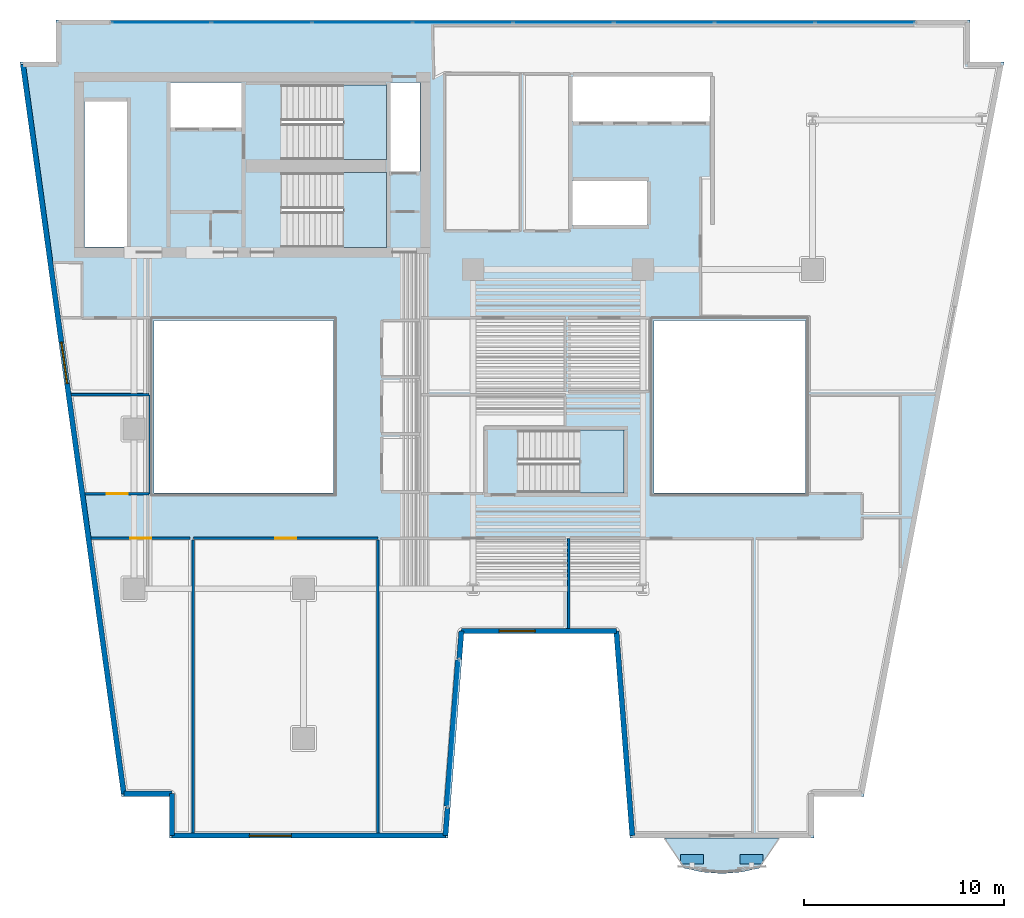
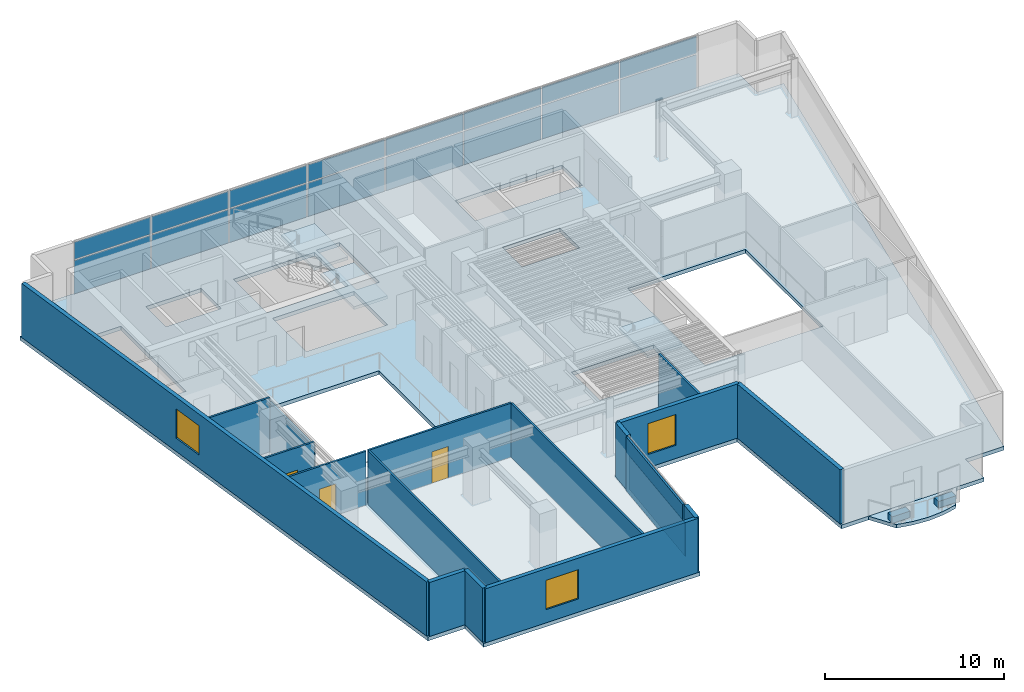
# One storey, part 5 of 13: 20 plates, 17 walls, 5 slabs, 3 doors, 3 windows, 6 openings, 5 elements without a shape of their own.
"""IFC4 building model written with IfcOpenShell, lengths in metres."""

from ifc_helpers import new_model, si_unit, direction, frame, frame_2d, origin, origin_2d, place, context, subcontext, project, spatial, polyline, rectangle, outline, extrude, material, layer, layer_set, type_object, element, fill, aggregate, save


model = new_model("IFC4")

# Units and contexts
model_context = context("Model", 3, precision=1e-05, world=origin(), true_north=direction((0.0, 1.0)))
body_context = subcontext(model_context, "Body", "Model", "MODEL_VIEW")
ifc_project = project(units=[si_unit("LENGTHUNIT", "METRE"), si_unit("AREAUNIT", "SQUARE_METRE"), si_unit("VOLUMEUNIT", "CUBIC_METRE"), si_unit("PLANEANGLEUNIT", "RADIAN"), si_unit("MASSUNIT", "GRAM", prefix="KILO")], contexts=[model_context])

# Site, building, storey
site_placement = place(None, origin())
site = spatial("IfcSite", under=ifc_project, at=site_placement, CompositionType="ELEMENT")
building_placement = place(site_placement, origin())
building = spatial("IfcBuilding", under=site, at=building_placement, Name="Caeloran Harvest Quay", CompositionType="ELEMENT")
storey_placement = place(building_placement, frame((0.0, 0.0, 158.800048828125)))
storey = spatial("IfcBuildingStorey", under=building, at=storey_placement, Name="L37", CompositionType="ELEMENT", Elevation=158.800048828125)

# Slab
ifc_material_1 = material(Name="Concrete C50/60", Category="concrete")
ifc_layer_1 = layer(ifc_material_1, 0.239990234375, Name="Concrete C50/60")
ifc_layer_set_1 = layer_set([ifc_layer_1], Name="Concrete C50/60")
slab_type_1 = type_object("IfcSlabType", Name="BALCONY-BL-240", PredefinedType="FLOOR", material=ifc_layer_set_1)
slab_1_placement = place(storey_placement, frame((0.0, 0.0, -0.239990234375)))
element("IfcSlab", 1, at=slab_1_placement, inside=storey, type_object=slab_type_1, Name="L37 Scalloped Cantilevered Planted Balcony Slab", PredefinedType="FLOOR", context=body_context, shape_type="SweptSolid", body=[
    extrude(outline(polyline([(39.869873046875, 1.002685546875), (38.913818359375, 0.7998046875), (37.95751953125, 0.7255859375), (37.001220703125, 0.7998046875), (36.045166015625, 1.002685546875), (35.1015625, 2.5), (40.8134765625, 2.5), (39.869873046875, 1.002685546875)])), origin(), (0.0, 0.0, 1.0), 0.239990234375),
])

# Curtain wall, plates
ifc_material_2 = material(Name="Aluminium 6063-T6 and Low-E Glazing", Category="aluminium")
ifc_layer_2 = layer(ifc_material_2, 0.22998046875, Name="Aluminium 6063-T6 and Low-E Glazing")
ifc_layer_set_2 = layer_set([ifc_layer_2], Name="Aluminium 6063-T6 and Low-E Glazing")
curtain_wall_type = type_object("IfcCurtainWallType", Name="CW-SYS-CW-6", PredefinedType="USERDEFINED", material=ifc_layer_set_2)
curtain_wall_1_placement = place(storey_placement, origin())
curtain_wall_1 = element("IfcCurtainWall", 2, at=curtain_wall_1_placement, inside=storey, type_object=curtain_wall_type, Name="L37 Unitised Curtain Wall CW-6 Run 6", ObjectType="CURTAIN_WALL", PredefinedType="USERDEFINED")
ifc_material_3 = material(Name="Low-E Double Glazed Vision Glass Unit", Category="glass")
ifc_layer_3 = layer(ifc_material_3, 0.035888671875, Name="Low-E Double Glazed Vision Glass Unit")
ifc_layer_set_3 = layer_set([ifc_layer_3], Name="Low-E Double Glazed Vision Glass Unit")
plate_type_1 = type_object("IfcPlateType", Name="CW-VISION-PANEL", PredefinedType="CURTAIN_PANEL", material=ifc_layer_set_3)
plate_1_placement = place(storey_placement, frame((9.871337890625, 43.3701171875, 0.080078125), z_axis=(0.0, 0.0, 1.0), x_axis=(1.0, 0.0, 0.0)))
plate_1 = element("IfcPlate", 3, at=plate_1_placement, type_object=plate_type_1, Name="CW-6 panel 1.1", PredefinedType="CURTAIN_PANEL", context=body_context, shape_type="SweptSolid", body=[
    extrude(rectangle(XDim=4.922607421875, YDim=0.035888671875, at=origin_2d()), origin(), (0.0, 0.0, 1.0), 2.280029296875),
])
plate_2_placement = place(storey_placement, frame((9.871337890625, 43.3701171875, 2.43994140625), z_axis=(0.0, 0.0, 1.0), x_axis=(1.0, 0.0, 0.0)))
plate_2 = element("IfcPlate", 4, at=plate_2_placement, type_object=plate_type_1, Name="CW-6 panel 1.2", PredefinedType="CURTAIN_PANEL", context=body_context, shape_type="SweptSolid", body=[
    extrude(rectangle(XDim=4.922607421875, YDim=0.035888671875, at=origin_2d()), origin(), (0.0, 0.0, 1.0), 1.169921875),
])
plate_3_placement = place(storey_placement, frame((14.893798828125, 43.3701171875, 0.080078125), z_axis=(0.0, 0.0, 1.0), x_axis=(1.0, 0.0, 0.0)))
plate_3 = element("IfcPlate", 5, at=plate_3_placement, type_object=plate_type_1, Name="CW-6 panel 2.1", PredefinedType="CURTAIN_PANEL", context=body_context, shape_type="SweptSolid", body=[
    extrude(rectangle(XDim=4.96240234375, YDim=0.035888671875, at=origin_2d()), origin(), (0.0, 0.0, 1.0), 2.280029296875),
])
plate_4_placement = place(storey_placement, frame((14.893798828125, 43.3701171875, 2.43994140625), z_axis=(0.0, 0.0, 1.0), x_axis=(1.0, 0.0, 0.0)))
plate_4 = element("IfcPlate", 6, at=plate_4_placement, type_object=plate_type_1, Name="CW-6 panel 2.2", PredefinedType="CURTAIN_PANEL", context=body_context, shape_type="SweptSolid", body=[
    extrude(rectangle(XDim=4.96240234375, YDim=0.035888671875, at=origin_2d()), origin(), (0.0, 0.0, 1.0), 1.169921875),
])
plate_5_placement = place(storey_placement, frame((19.936279296875, 43.3701171875, 0.080078125), z_axis=(0.0, 0.0, 1.0), x_axis=(1.0, 0.0, 0.0)))
plate_5 = element("IfcPlate", 7, at=plate_5_placement, type_object=plate_type_1, Name="CW-6 panel 3.1", PredefinedType="CURTAIN_PANEL", context=body_context, shape_type="SweptSolid", body=[
    extrude(rectangle(XDim=4.96240234375, YDim=0.035888671875, at=origin_2d()), origin(), (0.0, 0.0, 1.0), 2.280029296875),
])
plate_6_placement = place(storey_placement, frame((19.936279296875, 43.3701171875, 2.43994140625), z_axis=(0.0, 0.0, 1.0), x_axis=(1.0, 0.0, 0.0)))
plate_6 = element("IfcPlate", 8, at=plate_6_placement, type_object=plate_type_1, Name="CW-6 panel 3.2", PredefinedType="CURTAIN_PANEL", context=body_context, shape_type="SweptSolid", body=[
    extrude(rectangle(XDim=4.96240234375, YDim=0.035888671875, at=origin_2d()), origin(), (0.0, 0.0, 1.0), 1.169921875),
])
plate_7_placement = place(storey_placement, frame((24.978759765625, 43.3701171875, 0.080078125), z_axis=(0.0, 0.0, 1.0), x_axis=(1.0, 0.0, 0.0)))
plate_7 = element("IfcPlate", 9, at=plate_7_placement, type_object=plate_type_1, Name="CW-6 panel 4.1", PredefinedType="CURTAIN_PANEL", context=body_context, shape_type="SweptSolid", body=[
    extrude(rectangle(XDim=4.96240234375, YDim=0.035888671875, at=origin_2d()), origin(), (0.0, 0.0, 1.0), 2.280029296875),
])
plate_8_placement = place(storey_placement, frame((24.978759765625, 43.3701171875, 2.43994140625), z_axis=(0.0, 0.0, 1.0), x_axis=(1.0, 0.0, 0.0)))
plate_8 = element("IfcPlate", 10, at=plate_8_placement, type_object=plate_type_1, Name="CW-6 panel 4.2", PredefinedType="CURTAIN_PANEL", context=body_context, shape_type="SweptSolid", body=[
    extrude(rectangle(XDim=4.96240234375, YDim=0.035888671875, at=origin_2d()), origin(), (0.0, 0.0, 1.0), 1.169921875),
])
plate_9_placement = place(storey_placement, frame((30.021240234375, 43.3701171875, 0.080078125), z_axis=(0.0, 0.0, 1.0), x_axis=(1.0, 0.0, 0.0)))
plate_9 = element("IfcPlate", 11, at=plate_9_placement, type_object=plate_type_1, Name="CW-6 panel 5.1", PredefinedType="CURTAIN_PANEL", context=body_context, shape_type="SweptSolid", body=[
    extrude(rectangle(XDim=4.96240234375, YDim=0.035888671875, at=origin_2d()), origin(), (0.0, 0.0, 1.0), 2.280029296875),
])
plate_10_placement = place(storey_placement, frame((30.021240234375, 43.3701171875, 2.43994140625), z_axis=(0.0, 0.0, 1.0), x_axis=(1.0, 0.0, 0.0)))
plate_10 = element("IfcPlate", 12, at=plate_10_placement, type_object=plate_type_1, Name="CW-6 panel 5.2", PredefinedType="CURTAIN_PANEL", context=body_context, shape_type="SweptSolid", body=[
    extrude(rectangle(XDim=4.96240234375, YDim=0.035888671875, at=origin_2d()), origin(), (0.0, 0.0, 1.0), 1.169921875),
])
plate_11_placement = place(storey_placement, frame((35.063720703125, 43.3701171875, 0.080078125), z_axis=(0.0, 0.0, 1.0), x_axis=(1.0, 0.0, 0.0)))
plate_11 = element("IfcPlate", 13, at=plate_11_placement, type_object=plate_type_1, Name="CW-6 panel 6.1", PredefinedType="CURTAIN_PANEL", context=body_context, shape_type="SweptSolid", body=[
    extrude(rectangle(XDim=4.96240234375, YDim=0.035888671875, at=origin_2d()), origin(), (0.0, 0.0, 1.0), 2.280029296875),
])
plate_12_placement = place(storey_placement, frame((35.063720703125, 43.3701171875, 2.43994140625), z_axis=(0.0, 0.0, 1.0), x_axis=(1.0, 0.0, 0.0)))
plate_12 = element("IfcPlate", 14, at=plate_12_placement, type_object=plate_type_1, Name="CW-6 panel 6.2", PredefinedType="CURTAIN_PANEL", context=body_context, shape_type="SweptSolid", body=[
    extrude(rectangle(XDim=4.96240234375, YDim=0.035888671875, at=origin_2d()), origin(), (0.0, 0.0, 1.0), 1.169921875),
])
plate_13_placement = place(storey_placement, frame((40.106201171875, 43.3701171875, 0.080078125), z_axis=(0.0, 0.0, 1.0), x_axis=(1.0, 0.0, 0.0)))
plate_13 = element("IfcPlate", 15, at=plate_13_placement, type_object=plate_type_1, Name="CW-6 panel 7.1", PredefinedType="CURTAIN_PANEL", context=body_context, shape_type="SweptSolid", body=[
    extrude(rectangle(XDim=4.96240234375, YDim=0.035888671875, at=origin_2d()), origin(), (0.0, 0.0, 1.0), 2.280029296875),
])
plate_14_placement = place(storey_placement, frame((40.106201171875, 43.3701171875, 2.43994140625), z_axis=(0.0, 0.0, 1.0), x_axis=(1.0, 0.0, 0.0)))
plate_14 = element("IfcPlate", 16, at=plate_14_placement, type_object=plate_type_1, Name="CW-6 panel 7.2", PredefinedType="CURTAIN_PANEL", context=body_context, shape_type="SweptSolid", body=[
    extrude(rectangle(XDim=4.96240234375, YDim=0.035888671875, at=origin_2d()), origin(), (0.0, 0.0, 1.0), 1.169921875),
])
plate_15_placement = place(storey_placement, frame((45.128662109375, 43.3701171875, 0.080078125), z_axis=(0.0, 0.0, 1.0), x_axis=(1.0, 0.0, 0.0)))
plate_15 = element("IfcPlate", 17, at=plate_15_placement, type_object=plate_type_1, Name="CW-6 panel 8.1", PredefinedType="CURTAIN_PANEL", context=body_context, shape_type="SweptSolid", body=[
    extrude(rectangle(XDim=4.922607421875, YDim=0.035888671875, at=origin_2d()), origin(), (0.0, 0.0, 1.0), 2.280029296875),
])
plate_16_placement = place(storey_placement, frame((45.128662109375, 43.3701171875, 2.43994140625), z_axis=(0.0, 0.0, 1.0), x_axis=(1.0, 0.0, 0.0)))
plate_16 = element("IfcPlate", 18, at=plate_16_placement, type_object=plate_type_1, Name="CW-6 panel 8.2", PredefinedType="CURTAIN_PANEL", context=body_context, shape_type="SweptSolid", body=[
    extrude(rectangle(XDim=4.922607421875, YDim=0.035888671875, at=origin_2d()), origin(), (0.0, 0.0, 1.0), 1.169921875),
])
aggregate(curtain_wall_1, [plate_1, plate_2, plate_3, plate_4, plate_5, plate_6, plate_7, plate_8, plate_9, plate_10, plate_11, plate_12, plate_13, plate_14, plate_15, plate_16])

curtain_wall_2_placement = place(storey_placement, origin())
curtain_wall_2 = element("IfcCurtainWall", 19, at=curtain_wall_2_placement, inside=storey, type_object=curtain_wall_type, Name="L37 Unitised Curtain Wall CW-6 Run 15", ObjectType="CURTAIN_WALL", PredefinedType="USERDEFINED")
plate_17_placement = place(storey_placement, frame((24.509765625, 7.7548828125, 0.080078125), z_axis=(0.0, 0.0, 1.0), x_axis=(-0.077821861046, -0.996967280277, 0.0)))
plate_17 = element("IfcPlate", 20, at=plate_17_placement, type_object=plate_type_1, Name="CW-6 panel 1.1", PredefinedType="CURTAIN_PANEL", context=body_context, shape_type="SweptSolid", body=[
    extrude(rectangle(XDim=7.3212890625, YDim=0.035888671875, at=origin_2d()), origin(), (0.0, 0.0, 1.0), 2.280029296875),
])
plate_18_placement = place(storey_placement, frame((24.509765625, 7.7548828125, 2.43994140625), z_axis=(0.0, 0.0, 1.0), x_axis=(-0.077821861046, -0.996967280277, 0.0)))
plate_18 = element("IfcPlate", 21, at=plate_18_placement, type_object=plate_type_1, Name="CW-6 panel 1.2", PredefinedType="CURTAIN_PANEL", context=body_context, shape_type="SweptSolid", body=[
    extrude(rectangle(XDim=7.3212890625, YDim=0.035888671875, at=origin_2d()), origin(), (0.0, 0.0, 1.0), 1.169921875),
])
aggregate(curtain_wall_2, [plate_17, plate_18])

# Plates
ifc_material_4 = material(Name="Precast concrete C50/60", Category="concrete")
ifc_layer_4 = layer(ifc_material_4, 0.449951171875, Name="Precast concrete C50/60")
ifc_layer_set_4 = layer_set([ifc_layer_4], Name="Precast concrete C50/60")
plate_type_2 = type_object("IfcPlateType", Name="PLANTER-TROUGH-450", PredefinedType="USERDEFINED", material=ifc_layer_set_4)
for number, where, z_axis, x_axis, name in (
    (22, (39.44921875, 1.44921875, 0.0), (0.0, 0.0, 1.0), (1.0, 0.0, 0.0), "L37 Balcony Vertical-Greenery Precast PLANTER Trough 1"),
    (23, (36.4658203125, 1.44921875, 0.0), (0.0, 0.0, 1.0), (1.0, 0.0, 0.0), "L37 Balcony Vertical-Greenery Precast PLANTER Trough 2"),
):
    element("IfcPlate", number, at=place(storey_placement, frame(where, z_axis=z_axis, x_axis=x_axis)), inside=storey, type_object=plate_type_2, Name=name, ObjectType="PLANTER", PredefinedType="USERDEFINED", context=body_context, shape_type="SweptSolid", body=[
        extrude(rectangle(XDim=1.14990234375, YDim=0.47998046875, at=origin_2d()), origin(), (0.0, 0.0, 1.0), 0.449951171875),
    ])

# Slab
ifc_layer_5 = layer(ifc_material_1, 0.260009765625, Name="Concrete C50/60")
ifc_layer_set_5 = layer_set([ifc_layer_5], Name="Concrete C50/60")
slab_type_2 = type_object("IfcSlabType", Name="SLAB-FS-260", PredefinedType="FLOOR", material=ifc_layer_set_5)
slab_2_placement = place(storey_placement, frame((0.0, 0.0, -0.260009765625)))
element("IfcSlab", 24, at=slab_2_placement, inside=storey, type_object=slab_type_2, Name="L37 Structural Floor Slab", PredefinedType="FLOOR", context=body_context, shape_type="SweptSolid", body=[
    extrude(outline(polyline([(10.27001953125, 2.5), (24.22998046875, 2.5), (25.030029296875, 12.75), (32.554931640625, 12.75), (33.35498046875, 2.5), (42.570068359375, 2.5), (42.570068359375, 4.60009765625), (45.071044921875, 4.60009765625), (52.09912109375, 41.39990234375), (50.39990234375, 41.39990234375), (50.39990234375, 43.5), (4.60009765625, 43.5), (4.60009765625, 41.39990234375), (2.790283203125, 41.39990234375), (7.879638671875, 4.60009765625), (10.27001953125, 4.60009765625), (10.27001953125, 2.5)]), holes=[polyline([(27.75, 19.800048828125), (27.75, 22.949951171875), (33.050048828125, 22.949951171875), (33.050048828125, 19.800048828125), (27.75, 19.800048828125)]), polyline([(18.5, 19.800048828125), (9.5, 19.800048828125), (9.5, 28.449951171875), (18.5, 28.449951171875), (18.5, 19.800048828125)]), polyline([(42.14990234375, 19.800048828125), (34.550048828125, 19.800048828125), (34.550048828125, 28.449951171875), (42.14990234375, 28.449951171875), (42.14990234375, 19.800048828125)]), polyline([(15.89990234375, 35.85009765625), (21.14990234375, 35.85009765625), (21.14990234375, 32.10009765625), (15.89990234375, 32.10009765625), (15.89990234375, 35.85009765625)]), polyline([(30.47998046875, 33.219970703125), (30.47998046875, 35.429931640625), (34.199951171875, 35.429931640625), (34.199951171875, 33.219970703125), (30.47998046875, 33.219970703125)]), polyline([(8.159912109375, 32.1201171875), (6.02001953125, 32.1201171875), (6.02001953125, 39.419921875), (8.159912109375, 39.419921875), (8.159912109375, 32.1201171875)]), polyline([(22.830078125, 35.919921875), (21.35009765625, 35.919921875), (21.35009765625, 40.3798828125), (22.830078125, 40.3798828125), (22.830078125, 35.919921875)]), polyline([(15.89990234375, 36.5), (15.89990234375, 40.25), (21.14990234375, 40.25), (21.14990234375, 36.5), (15.89990234375, 36.5)]), polyline([(10.320068359375, 38.1201171875), (10.320068359375, 40.3798828125), (13.89990234375, 40.3798828125), (13.89990234375, 38.1201171875), (10.320068359375, 38.1201171875)]), polyline([(30.47998046875, 38.419921875), (30.47998046875, 40.679931640625), (37.3798828125, 40.679931640625), (37.3798828125, 38.419921875), (30.47998046875, 38.419921875)])]), origin(), (0.0, 0.0, 1.0), 0.260009765625),
])

# Stair, slab
stair_type_1 = type_object("IfcStairType", Name="STAIR-STC-180", PredefinedType="HALF_TURN_STAIR", material=ifc_material_1)
stair_1_placement = place(storey_placement, origin())
stair_1 = element("IfcStair", 25, at=stair_1_placement, inside=storey, type_object=stair_type_1, Name="L37 Core Pressurized Exit Stair ST-C1", PredefinedType="HALF_TURN_STAIR")
ifc_layer_6 = layer(ifc_material_1, 0.219970703125, Name="Concrete C50/60")
ifc_layer_set_6 = layer_set([ifc_layer_6], Name="Concrete C50/60")
slab_type_3 = type_object("IfcSlabType", Name="STAIR-LANDING-220", PredefinedType="LANDING", material=ifc_layer_set_6)
slab_3_placement = place(storey_placement, frame((0.0, 0.0, 1.77490234375)))
slab_3 = element("IfcSlab", 26, at=slab_3_placement, type_object=slab_type_3, Name="ST-C1 landing 1", PredefinedType="LANDING", context=body_context, shape_type="SweptSolid", body=[
    extrude(outline(polyline([(18.97998046875, 36.5), (21.14990234375, 36.5), (21.14990234375, 40.25), (18.97998046875, 40.25), (18.97998046875, 36.5)])), origin(), (0.0, 0.0, 1.0), 0.199951171875),
])
aggregate(stair_1, [slab_3])

stair_2_placement = place(storey_placement, origin())
stair_2 = element("IfcStair", 27, at=stair_2_placement, inside=storey, type_object=stair_type_1, Name="L37 Core Pressurized Exit Stair ST-C2", PredefinedType="HALF_TURN_STAIR")
slab_4_placement = place(storey_placement, frame((0.0, 0.0, 1.77490234375)))
slab_4 = element("IfcSlab", 28, at=slab_4_placement, type_object=slab_type_3, Name="ST-C2 landing 1", PredefinedType="LANDING", context=body_context, shape_type="SweptSolid", body=[
    extrude(outline(polyline([(18.97998046875, 32.10009765625), (21.14990234375, 32.10009765625), (21.14990234375, 35.85009765625), (18.97998046875, 35.85009765625), (18.97998046875, 32.10009765625)])), origin(), (0.0, 0.0, 1.0), 0.199951171875),
])
aggregate(stair_2, [slab_4])

stair_type_2 = type_object("IfcStairType", Name="STAIR-STW-150", PredefinedType="HALF_TURN_STAIR", material=ifc_material_1)
stair_3_placement = place(storey_placement, origin())
stair_3 = element("IfcStair", 29, at=stair_3_placement, inside=storey, type_object=stair_type_2, Name="L37 East Wing Protected Exit Stair ST-W1", PredefinedType="HALF_TURN_STAIR")
slab_5_placement = place(storey_placement, frame((0.0, 0.0, 1.77490234375)))
slab_5 = element("IfcSlab", 30, at=slab_5_placement, type_object=slab_type_3, Name="ST-W1 landing 1", PredefinedType="LANDING", context=body_context, shape_type="SweptSolid", body=[
    extrude(outline(polyline([(30.830078125, 19.800048828125), (33.050048828125, 19.800048828125), (33.050048828125, 22.949951171875), (30.830078125, 22.949951171875), (30.830078125, 19.800048828125)])), origin(), (0.0, 0.0, 1.0), 0.199951171875),
])
aggregate(stair_3, [slab_5])

# Walls
ifc_layer_7 = layer(ifc_material_4, 0.260009765625, Name="Precast concrete C50/60")
ifc_layer_set_7 = layer_set([ifc_layer_7], Name="Precast concrete C50/60")
wall_type_1 = type_object("IfcWallType", Name="ENV-WALL-EW-260", PredefinedType="STANDARD", material=ifc_layer_set_7)
wall_1_placement = place(storey_placement, frame((10.39990234375, 2.6298828125, 0.0), z_axis=(0.0, 0.0, 1.0), x_axis=(0.0, 1.0, 0.0)))
element("IfcWall", 31, at=wall_1_placement, inside=storey, type_object=wall_type_1, Name="L37 Exterior Precast Concrete Facade Wall 1", PredefinedType="STANDARD", context=body_context, shape_type="SweptSolid", body=[
    extrude(rectangle(XDim=2.10009765625, YDim=0.260009765625, at=frame_2d((1.050048828125, 0.0))), origin(), (0.0, 0.0, 1.0), 3.68994140625),
])
wall_2_placement = place(storey_placement, frame((10.39990234375, 4.72998046875, 0.0), z_axis=(0.0, 0.0, 1.0), x_axis=(-1.0, 0.0, 0.0)))
element("IfcWall", 32, at=wall_2_placement, inside=storey, type_object=wall_type_1, Name="L37 Exterior Precast Concrete Facade Wall 2", PredefinedType="STANDARD", context=body_context, shape_type="SweptSolid", body=[
    extrude(rectangle(XDim=2.406982421875, YDim=0.260009765625, at=frame_2d((1.20361328125, 0.0))), origin(), (0.0, 0.0, 1.0), 3.68994140625),
])

# Wall, opening, window
wall_3_placement = place(storey_placement, frame((7.992919921875, 4.72998046875, 0.0), z_axis=(0.0, 0.0, 1.0), x_axis=(-0.136989009016, 0.990572567462, 0.0)))
wall_3 = element("IfcWall", 33, at=wall_3_placement, inside=storey, type_object=wall_type_1, Name="L37 Exterior Precast Concrete Facade Wall 3", PredefinedType="STANDARD", context=body_context, shape_type="SweptSolid", body=[
    extrude(rectangle(XDim=36.8876953125, YDim=0.260009765625, at=frame_2d((18.44384765625, 0.0))), origin(), (0.0, 0.0, 1.0), 3.68994140625),
])
opening_1_placement = place(wall_3_placement, frame((20.74755859375, 0.0, 0.89990234375)))
opening_1 = element("IfcOpeningElement", 34, at=opening_1_placement, cuts=wall_3, Name="Opening W-06", PredefinedType="OPENING", context=body_context, shape_type="SweptSolid", body=[
    extrude(rectangle(XDim=2.10009765625, YDim=2.0, at=frame_2d((1.050048828125, 1.0))), frame((0.0, 0.14013671875, 0.0), z_axis=(0.0, -1.0, 0.0), x_axis=(1.0, 0.0, 0.0)), (0.0, 0.0, 1.0), 0.280029296875),
])
ifc_material_5 = material(Name="Aluminium-Framed Low-E Laminated Glass", Category="aluminium")
window_type_1 = type_object("IfcWindowType", Name="WIN-W-06", PartitioningType="DOUBLE_PANEL_VERTICAL", PredefinedType="WINDOW", material=ifc_material_5)
window_1_placement = place(opening_1_placement, origin())
window_1 = element("IfcWindow", 35, at=window_1_placement, inside=storey, type_object=window_type_1, Name="L37 Facade Punched Window W-06", OverallHeight=2.0, OverallWidth=2.10009765625, PartitioningType="DOUBLE_PANEL_VERTICAL", PredefinedType="WINDOW", context=body_context, shape_type="SweptSolid", body=[
    extrude(rectangle(XDim=2.10009765625, YDim=2.0, at=frame_2d((1.050048828125, 1.0))), frame((0.0, 0.030029296875, 0.0), z_axis=(0.0, -1.0, 0.0), x_axis=(1.0, 0.0, 0.0)), (0.0, 0.0, 1.0), 0.06005859375),
])
fill(opening_1, window_1)

# Wall
wall_4_placement = place(storey_placement, frame((33.47509765625, 2.6298828125, 0.0), z_axis=(0.0, 0.0, 1.0), x_axis=(-0.077793257511, 0.996969512616, 0.0)))
element("IfcWall", 36, at=wall_4_placement, inside=storey, type_object=wall_type_1, Name="L37 Exterior Precast Concrete Facade Wall 13", PredefinedType="STANDARD", context=body_context, shape_type="SweptSolid", body=[
    extrude(rectangle(XDim=10.28125, YDim=0.260009765625, at=frame_2d((5.140625, 0.0))), origin(), (0.0, 0.0, 1.0), 3.68994140625),
])

# Wall, opening, window
wall_5_placement = place(storey_placement, frame((32.67529296875, 12.8798828125, 0.0), z_axis=(0.0, 0.0, 1.0), x_axis=(-1.0, 0.0, 0.0)))
wall_5 = element("IfcWall", 37, at=wall_5_placement, inside=storey, type_object=wall_type_1, Name="L37 Exterior Precast Concrete Facade Wall 14", PredefinedType="STANDARD", context=body_context, shape_type="SweptSolid", body=[
    extrude(rectangle(XDim=7.765380859375, YDim=0.260009765625, at=frame_2d((3.8828125, 0.0))), origin(), (0.0, 0.0, 1.0), 3.68994140625),
])
opening_2_placement = place(wall_5_placement, frame((4.070068359375, 0.0, 0.89990234375)))
opening_2 = element("IfcOpeningElement", 38, at=opening_2_placement, cuts=wall_5, Name="Opening W-01", PredefinedType="OPENING", context=body_context, shape_type="SweptSolid", body=[
    extrude(rectangle(XDim=1.800048828125, YDim=2.10009765625, at=frame_2d((0.89990234375, 1.050048828125))), frame((0.0, 0.14013671875, 0.0), z_axis=(0.0, -1.0, 0.0), x_axis=(1.0, 0.0, 0.0)), (0.0, 0.0, 1.0), 0.280029296875),
])
window_type_2 = type_object("IfcWindowType", Name="WIN-W-01", PartitioningType="SINGLE_PANEL", PredefinedType="WINDOW", material=ifc_material_5)
window_2_placement = place(opening_2_placement, origin())
window_2 = element("IfcWindow", 39, at=window_2_placement, inside=storey, type_object=window_type_2, Name="L37 Facade Punched Window W-01", OverallHeight=2.10009765625, OverallWidth=1.800048828125, PartitioningType="SINGLE_PANEL", PredefinedType="WINDOW", context=body_context, shape_type="SweptSolid", body=[
    extrude(rectangle(XDim=1.800048828125, YDim=2.10009765625, at=frame_2d((0.89990234375, 1.050048828125))), frame((0.0, 0.030029296875, 0.0), z_axis=(0.0, -1.0, 0.0), x_axis=(1.0, 0.0, 0.0)), (0.0, 0.0, 1.0), 0.06005859375),
])
fill(opening_2, window_2)

# Walls
for number, where, z_axis, x_axis, name in (
    (40, (24.909912109375, 12.8798828125, 0.0), (0.0, 0.0, 1.0), (-0.077949956455, -0.996957273051, 0.0), "L37 Exterior Facade Corner Pier Wall 15A"),
    (41, (24.21875, 4.025634765625, 0.0), (0.0, 0.0, 1.0), (-0.077776627829, -0.996970810086, 0.0), "L37 Exterior Facade Corner Pier Wall 15B"),
):
    element("IfcWall", number, at=place(storey_placement, frame(where, z_axis=z_axis, x_axis=x_axis)), inside=storey, type_object=wall_type_1, Name=name, PredefinedType="STANDARD", context=body_context, shape_type="SweptSolid", body=[
        extrude(rectangle(XDim=1.39990234375, YDim=0.260009765625, at=frame_2d((0.699951171875, 0.0))), origin(), (0.0, 0.0, 1.0), 3.68994140625),
    ])

# Wall, opening, window
wall_6_placement = place(storey_placement, frame((24.10986328125, 2.6298828125, 0.0), z_axis=(0.0, 0.0, 1.0), x_axis=(-1.0, 0.0, 0.0)))
wall_6 = element("IfcWall", 42, at=wall_6_placement, inside=storey, type_object=wall_type_1, Name="L37 Exterior Precast Concrete Facade Wall 16", PredefinedType="STANDARD", context=body_context, shape_type="SweptSolid", body=[
    extrude(rectangle(XDim=13.7099609375, YDim=0.260009765625, at=frame_2d((6.85498046875, 0.0))), origin(), (0.0, 0.0, 1.0), 3.68994140625),
])
opening_3_placement = place(wall_6_placement, frame((7.72412109375, 0.0, 0.89990234375)))
opening_3 = element("IfcOpeningElement", 43, at=opening_3_placement, cuts=wall_6, Name="Opening W-06", PredefinedType="OPENING", context=body_context, shape_type="SweptSolid", body=[
    extrude(rectangle(XDim=2.10009765625, YDim=2.0, at=frame_2d((1.050048828125, 1.0))), frame((0.0, 0.14013671875, 0.0), z_axis=(0.0, -1.0, 0.0), x_axis=(1.0, 0.0, 0.0)), (0.0, 0.0, 1.0), 0.280029296875),
])
window_3_placement = place(opening_3_placement, origin())
window_3 = element("IfcWindow", 44, at=window_3_placement, inside=storey, type_object=window_type_1, Name="L37 Facade Punched Window W-06", OverallHeight=2.0, OverallWidth=2.10009765625, PartitioningType="DOUBLE_PANEL_VERTICAL", PredefinedType="WINDOW", context=body_context, shape_type="SweptSolid", body=[
    extrude(rectangle(XDim=2.10009765625, YDim=2.0, at=frame_2d((1.050048828125, 1.0))), frame((0.0, 0.030029296875, 0.0), z_axis=(0.0, -1.0, 0.0), x_axis=(1.0, 0.0, 0.0)), (0.0, 0.0, 1.0), 0.06005859375),
])
fill(opening_3, window_3)

# Wall, opening, door
ifc_material_6 = material(Name="Twin-Stud Mineral-Wool Acoustic Gypsum Partition", Category="gypsum")
ifc_layer_8 = layer(ifc_material_6, 0.125, Name="Twin-Stud Mineral-Wool Acoustic Gypsum Partition")
ifc_layer_set_8 = layer_set([ifc_layer_8], Name="Twin-Stud Mineral-Wool Acoustic Gypsum Partition")
wall_type_2 = type_object("IfcWallType", Name="INT-WALL-PW-125", PredefinedType="PARTITIONING", material=ifc_layer_set_8)
wall_7_placement = place(storey_placement, frame((11.47998046875, 17.52001953125, 0.0), z_axis=(0.0, 0.0, 1.0), x_axis=(1.0, 0.0, 0.0)))
wall_7 = element("IfcWall", 45, at=wall_7_placement, inside=storey, type_object=wall_type_2, Name="Agro-Finance Summit Conference Hall Partition Wall", PredefinedType="PARTITIONING", context=body_context, shape_type="SweptSolid", body=[
    extrude(rectangle(XDim=9.239990234375, YDim=0.125, at=frame_2d((4.6201171875, 0.0))), origin(), (0.0, 0.0, 1.0), 3.68994140625),
])
opening_4_placement = place(wall_7_placement, frame((4.094970703125, 0.0, 0.0)))
opening_4 = element("IfcOpeningElement", 46, at=opening_4_placement, cuts=wall_7, Name="Opening ID-03", PredefinedType="OPENING", context=body_context, shape_type="SweptSolid", body=[
    extrude(rectangle(XDim=1.050048828125, YDim=2.14990234375, at=frame_2d((0.52490234375, 1.074951171875))), frame((0.0, 0.072509765625, 0.0), z_axis=(0.0, -1.0, 0.0), x_axis=(1.0, 0.0, 0.0)), (0.0, 0.0, 1.0), 0.14501953125),
])
ifc_material_7 = material(Name="FSC Solid-Core Oak Timber Leaf", Category="wood")
door_type = type_object("IfcDoorType", Name="INTDOOR-ID-03", OperationType="NOTDEFINED", PredefinedType="DOOR", material=ifc_material_7)
door_1_placement = place(opening_4_placement, origin())
door_1 = element("IfcDoor", 47, at=door_1_placement, inside=storey, type_object=door_type, Name="Agro-Finance Summit Conference Hall Access Door", OperationType="SINGLE_SWING_LEFT", OverallHeight=2.14990234375, OverallWidth=1.050048828125, PredefinedType="DOOR", context=body_context, shape_type="SweptSolid", body=[
    extrude(rectangle(XDim=1.050048828125, YDim=2.14990234375, at=frame_2d((0.52490234375, 1.074951171875))), frame((0.0, 0.02490234375, 0.0), z_axis=(0.0, -1.0, 0.0), x_axis=(1.0, 0.0, 0.0)), (0.0, 0.0, 1.0), 0.050048828125),
])
fill(opening_4, door_1)

# Walls
for number, where, z_axis, x_axis, name in (
    (48, (20.719970703125, 17.452392578125, 0.0), (0.0, 0.0, 1.0), (0.0, -1.0, 0.0), "Agro-Finance Summit Conference Hall Partition Wall"),
    (49, (11.47998046875, 2.764892578125, 0.0), (0.0, 0.0, 1.0), (0.0, 1.0, 0.0), "Agro-Finance Summit Conference Hall Partition Wall"),
):
    element("IfcWall", number, at=place(storey_placement, frame(where, z_axis=z_axis, x_axis=x_axis)), inside=storey, type_object=wall_type_2, Name=name, PredefinedType="PARTITIONING", context=body_context, shape_type="SweptSolid", body=[
        extrude(rectangle(XDim=14.6875, YDim=0.125, at=frame_2d((7.34375, 0.0))), origin(), (0.0, 0.0, 1.0), 3.68994140625),
    ])
wall_8_placement = place(storey_placement, frame((30.280029296875, 13.014892578125, 0.0), z_axis=(0.0, 0.0, 1.0), x_axis=(0.0, 1.0, 0.0)))
element("IfcWall", 50, at=wall_8_placement, inside=storey, type_object=wall_type_2, Name="Carbon Credit Seminar Room Partition Wall", PredefinedType="PARTITIONING", context=body_context, shape_type="SweptSolid", body=[
    extrude(rectangle(XDim=4.505126953125, YDim=0.125, at=frame_2d((2.25244140625, 0.0))), origin(), (0.0, 0.0, 1.0), 3.68994140625),
])

# Wall, opening, door
wall_9_placement = place(storey_placement, frame((6.3603515625, 17.52001953125, 0.0), z_axis=(0.0, 0.0, 1.0), x_axis=(1.0, 0.0, 0.0)))
wall_9 = element("IfcWall", 51, at=wall_9_placement, inside=storey, type_object=wall_type_2, Name="Investor Espresso Kitchen Partition Wall", PredefinedType="PARTITIONING", context=body_context, shape_type="SweptSolid", body=[
    extrude(rectangle(XDim=4.959716796875, YDim=0.125, at=frame_2d((2.47998046875, 0.0))), origin(), (0.0, 0.0, 1.0), 3.68994140625),
])
opening_5_placement = place(wall_9_placement, frame((1.954833984375, 0.0, 0.0)))
opening_5 = element("IfcOpeningElement", 52, at=opening_5_placement, cuts=wall_9, Name="Opening ID-03", PredefinedType="OPENING", context=body_context, shape_type="SweptSolid", body=[
    extrude(rectangle(XDim=1.050048828125, YDim=2.14990234375, at=frame_2d((0.52490234375, 1.074951171875))), frame((0.0, 0.072509765625, 0.0), z_axis=(0.0, -1.0, 0.0), x_axis=(1.0, 0.0, 0.0)), (0.0, 0.0, 1.0), 0.14501953125),
])
door_2_placement = place(opening_5_placement, origin())
door_2 = element("IfcDoor", 53, at=door_2_placement, inside=storey, type_object=door_type, Name="Investor Espresso Kitchen Access Door", OperationType="SINGLE_SWING_RIGHT", OverallHeight=2.14990234375, OverallWidth=1.050048828125, PredefinedType="DOOR", context=body_context, shape_type="SweptSolid", body=[
    extrude(rectangle(XDim=1.050048828125, YDim=2.14990234375, at=frame_2d((0.52490234375, 1.074951171875))), frame((0.0, 0.02490234375, 0.0), z_axis=(0.0, -1.0, 0.0), x_axis=(1.0, 0.0, 0.0)), (0.0, 0.0, 1.0), 0.050048828125),
])
fill(opening_5, door_2)

# Walls
wall_10_placement = place(storey_placement, frame((24.665771484375, 11.419921875, 0.0), z_axis=(0.0, 0.0, 1.0), x_axis=(-0.077816821526, -0.996967673642, 0.0)))
element("IfcWall", 54, at=wall_10_placement, inside=storey, type_object=wall_type_2, Name="Hospitality Catering Kitchen Partition Wall", PredefinedType="PARTITIONING", context=body_context, shape_type="SweptSolid", body=[
    extrude(rectangle(XDim=7.33203125, YDim=0.125, at=frame_2d((3.666015625, 0.0))), origin(), (0.0, 0.0, 1.0), 3.68994140625),
])
wall_11_placement = place(storey_placement, frame((9.320068359375, 24.719970703125, 0.0), z_axis=(0.0, 0.0, 1.0), x_axis=(0.0, -1.0, 0.0)))
element("IfcWall", 55, at=wall_11_placement, inside=storey, type_object=wall_type_2, Name="Executive Wellness Lounge Partition Wall", PredefinedType="PARTITIONING", context=body_context, shape_type="SweptSolid", body=[
    extrude(rectangle(XDim=4.969970703125, YDim=0.125, at=frame_2d((2.48486328125, 0.0))), origin(), (0.0, 0.0, 1.0), 3.375),
])

# Wall, opening, door
wall_12_placement = place(storey_placement, frame((9.25244140625, 19.75, 0.0), z_axis=(0.0, 0.0, 1.0), x_axis=(-1.0, 0.0, 0.0)))
wall_12 = element("IfcWall", 56, at=wall_12_placement, inside=storey, type_object=wall_type_2, Name="Executive Wellness Lounge Partition Wall", PredefinedType="PARTITIONING", context=body_context, shape_type="SweptSolid", body=[
    extrude(rectangle(XDim=3.200439453125, YDim=0.125, at=frame_2d((1.60009765625, 0.0))), origin(), (0.0, 0.0, 1.0), 3.68994140625),
])
opening_6_placement = place(wall_12_placement, frame((1.0751953125, 0.0, 0.0)))
opening_6 = element("IfcOpeningElement", 57, at=opening_6_placement, cuts=wall_12, Name="Opening ID-03", PredefinedType="OPENING", context=body_context, shape_type="SweptSolid", body=[
    extrude(rectangle(XDim=1.050048828125, YDim=2.14990234375, at=frame_2d((0.52490234375, 1.074951171875))), frame((0.0, 0.072509765625, 0.0), z_axis=(0.0, -1.0, 0.0), x_axis=(1.0, 0.0, 0.0)), (0.0, 0.0, 1.0), 0.14501953125),
])
door_3_placement = place(opening_6_placement, origin())
door_3 = element("IfcDoor", 58, at=door_3_placement, inside=storey, type_object=door_type, Name="Executive Wellness Lounge Access Door", OperationType="SINGLE_SWING_LEFT", OverallHeight=2.14990234375, OverallWidth=1.050048828125, PredefinedType="DOOR", context=body_context, shape_type="SweptSolid", body=[
    extrude(rectangle(XDim=1.050048828125, YDim=2.14990234375, at=frame_2d((0.52490234375, 1.074951171875))), frame((0.0, 0.02490234375, 0.0), z_axis=(0.0, -1.0, 0.0), x_axis=(1.0, 0.0, 0.0)), (0.0, 0.0, 1.0), 0.050048828125),
])
fill(opening_6, door_3)

# Wall
wall_13_placement = place(storey_placement, frame((5.36474609375, 24.719970703125, 0.0), z_axis=(0.0, 0.0, 1.0), x_axis=(1.0, 0.0, 0.0)))
element("IfcWall", 59, at=wall_13_placement, inside=storey, type_object=wall_type_2, Name="Executive Wellness Lounge Partition Wall", PredefinedType="PARTITIONING", context=body_context, shape_type="SweptSolid", body=[
    extrude(rectangle(XDim=3.8876953125, YDim=0.125, at=frame_2d((1.94384765625, 0.0))), origin(), (0.0, 0.0, 1.0), 3.68994140625),
])

save(model, "model.ifc")
